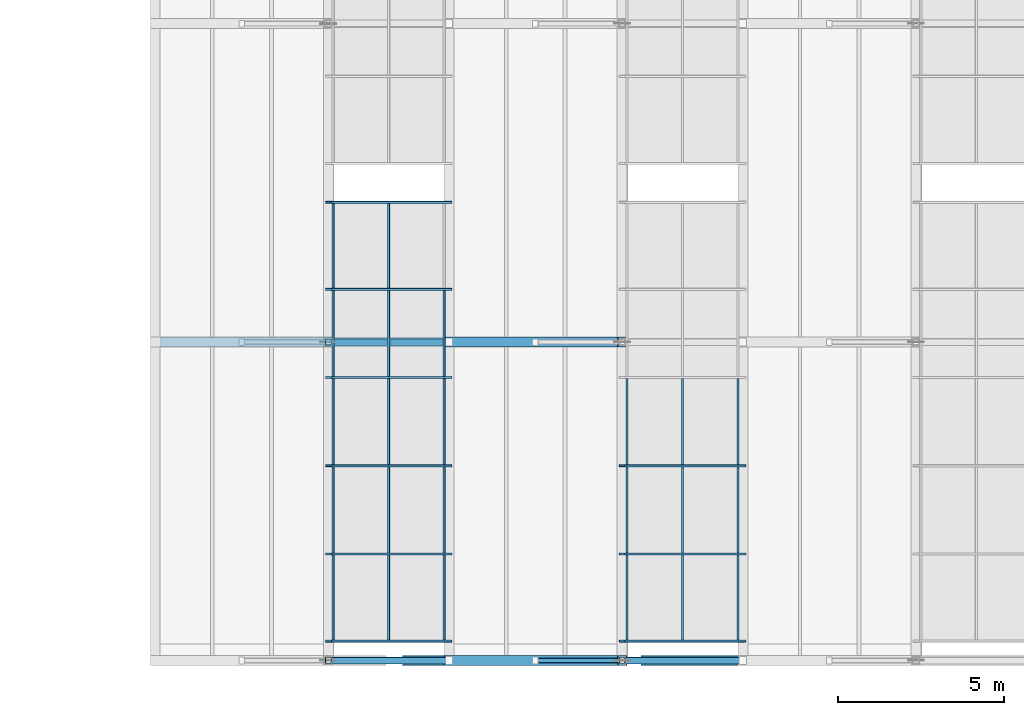
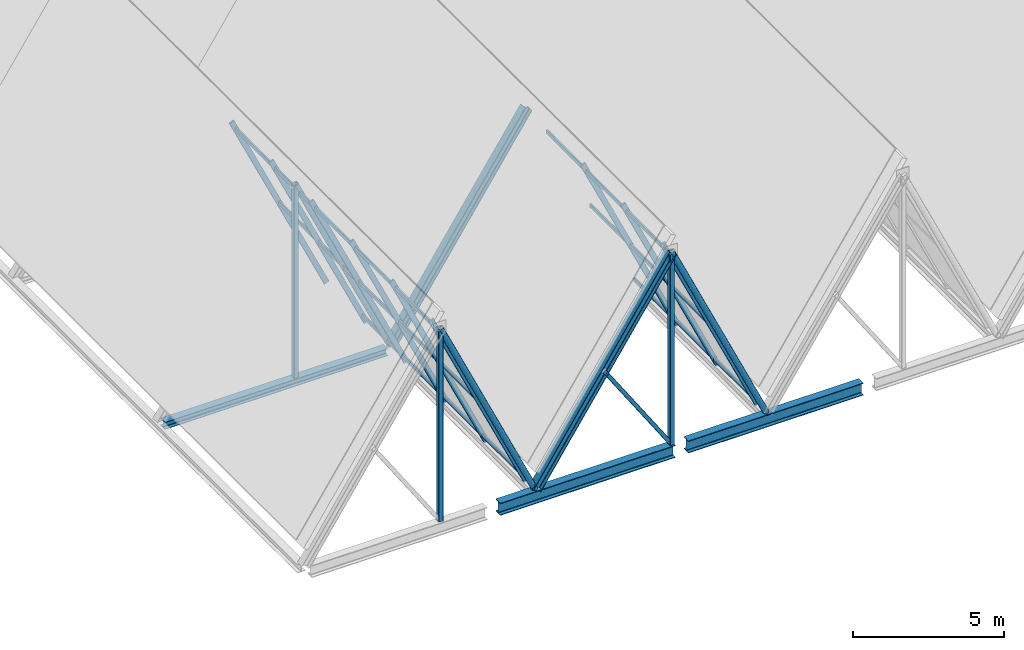
# One storey, part 39 of 99: 42 members, 2 beams, 2 elements without a shape of their own.
"""IFC4 building model written with IfcOpenShell, lengths in metres."""

from ifc_helpers import new_model, si_unit, direction, frame, origin, origin_2d, place, context, subcontext, project, spatial, hollow_rectangle, hollow_circle, i_section, extrude, material, material_profile, profile_set, type_object, element, aggregate, save


model = new_model("IFC4")

# Units and contexts
model_context = context("Model", 3, precision=1e-05, world=origin(), true_north=direction((0.0, 1.0)))
body_context = subcontext(model_context, "Body", "Model", "MODEL_VIEW")
ifc_project = project(units=[si_unit("LENGTHUNIT", "METRE"), si_unit("AREAUNIT", "SQUARE_METRE"), si_unit("VOLUMEUNIT", "CUBIC_METRE"), si_unit("PLANEANGLEUNIT", "RADIAN"), si_unit("MASSUNIT", "GRAM", prefix="KILO")], contexts=[model_context])

# Site, building, storey
site_placement = place(None, origin())
site = spatial("IfcSite", under=ifc_project, at=site_placement, CompositionType="ELEMENT")
building_placement = place(site_placement, origin())
building = spatial("IfcBuilding", under=site, at=building_placement, Name="Bramveld Media Centre", CompositionType="ELEMENT")
storey_placement = place(building_placement, frame((0.0, 0.0, 13.800048828125)))
storey = spatial("IfcBuildingStorey", under=building, at=storey_placement, Name="L03", CompositionType="ELEMENT", Elevation=13.800048828125)

# Curtain wall, members
ifc_material_1 = material(Name="Thermally broken anodized bronze aluminium unitized curtain wall with solar-control triple glazing", Category="aluminium")
curtain_wall_type = type_object("IfcCurtainWallType", Name="CW-SAW-13300x8606", PredefinedType="NOTDEFINED", material=ifc_material_1)
curtain_wall_1_placement = place(storey_placement, origin())
curtain_wall_1 = element("IfcCurtainWall", 1, at=curtain_wall_1_placement, inside=storey, type_object=curtain_wall_type, Name="V1 sawtooth north-light clerestory B1-S1", PredefinedType="NOTDEFINED")
ifc_material_2 = material(Name="Thermally broken anodized bronze aluminium EN AW-6063 T6 curtain-wall framing", Category="aluminium")
ifc_material_profile_1 = material_profile(ifc_material_2, hollow_rectangle(XDim=0.070068359375, YDim=0.199951171875, WallThickness=0.00439453125, InnerFilletRadius=0.00439453125, OuterFilletRadius=0.009033203125, at=origin_2d()), Name="AL-MULL 70x200")
ifc_profile_set_1 = profile_set([ifc_material_profile_1], Name="Thermally broken anodized bronze aluminium EN AW-6063 T6 curtain-wall framing")
member_type_1 = type_object("IfcMemberType", Name="CW-MULL-SLP", PredefinedType="MULLION", material=ifc_profile_set_1)
member_1_placement = place(storey_placement, frame((132.857177734375, 0.5849609375, -0.02001953125), z_axis=(-0.423956992265, 0.0, 0.90568232218), x_axis=(0.0, -1.0, 0.0)))
member_1 = element("IfcMember", 2, at=member_1_placement, type_object=member_type_1, Name="CW-SA-13386 sloped mullion 1", PredefinedType="MULLION", context=body_context, shape_type="SweptSolid", body=[
    extrude(hollow_rectangle(XDim=0.070068359375, YDim=0.199951171875, WallThickness=0.00439453125, InnerFilletRadius=0.00439453125, OuterFilletRadius=0.009033203125, at=origin_2d()), origin(), (0.0, 0.0, 1.0), 8.5791015625),
])
member_2_placement = place(storey_placement, frame((132.857177734375, 3.2099609375, -0.02001953125), z_axis=(-0.423956992265, 0.0, 0.90568232218), x_axis=(0.0, -1.0, 0.0)))
member_2 = element("IfcMember", 3, at=member_2_placement, type_object=member_type_1, Name="CW-SA-13386 sloped mullion 2", PredefinedType="MULLION", context=body_context, shape_type="SweptSolid", body=[
    extrude(hollow_rectangle(XDim=0.070068359375, YDim=0.199951171875, WallThickness=0.00439453125, InnerFilletRadius=0.00439453125, OuterFilletRadius=0.009033203125, at=origin_2d()), origin(), (0.0, 0.0, 1.0), 8.5791015625),
])
member_3_placement = place(storey_placement, frame((132.857177734375, 5.8701171875, -0.02001953125), z_axis=(-0.423956992265, 0.0, 0.90568232218), x_axis=(0.0, -1.0, 0.0)))
member_3 = element("IfcMember", 4, at=member_3_placement, type_object=member_type_1, Name="CW-SA-13386 sloped mullion 3", PredefinedType="MULLION", context=body_context, shape_type="SweptSolid", body=[
    extrude(hollow_rectangle(XDim=0.070068359375, YDim=0.199951171875, WallThickness=0.00439453125, InnerFilletRadius=0.00439453125, OuterFilletRadius=0.009033203125, at=origin_2d()), origin(), (0.0, 0.0, 1.0), 8.5791015625),
])
member_4_placement = place(storey_placement, frame((132.857177734375, 8.530029296875, -0.02001953125), z_axis=(-0.423956992265, 0.0, 0.90568232218), x_axis=(0.0, -1.0, 0.0)))
member_4 = element("IfcMember", 5, at=member_4_placement, type_object=member_type_1, Name="CW-SA-13386 sloped mullion 4", PredefinedType="MULLION", context=body_context, shape_type="SweptSolid", body=[
    extrude(hollow_rectangle(XDim=0.070068359375, YDim=0.199951171875, WallThickness=0.00439453125, InnerFilletRadius=0.00439453125, OuterFilletRadius=0.009033203125, at=origin_2d()), origin(), (0.0, 0.0, 1.0), 8.5791015625),
])
member_5_placement = place(storey_placement, frame((132.857177734375, 11.18994140625, -0.02001953125), z_axis=(-0.423956992265, 0.0, 0.90568232218), x_axis=(0.0, -1.0, 0.0)))
member_5 = element("IfcMember", 6, at=member_5_placement, type_object=member_type_1, Name="CW-SA-13386 sloped mullion 5", PredefinedType="MULLION", context=body_context, shape_type="SweptSolid", body=[
    extrude(hollow_rectangle(XDim=0.070068359375, YDim=0.199951171875, WallThickness=0.00439453125, InnerFilletRadius=0.00439453125, OuterFilletRadius=0.009033203125, at=origin_2d()), origin(), (0.0, 0.0, 1.0), 8.5791015625),
])
member_6_placement = place(storey_placement, frame((132.857177734375, 13.81494140625, -0.02001953125), z_axis=(-0.423956992265, 0.0, 0.90568232218), x_axis=(0.0, -1.0, 0.0)))
member_6 = element("IfcMember", 7, at=member_6_placement, type_object=member_type_1, Name="CW-SA-13386 sloped mullion 6", PredefinedType="MULLION", context=body_context, shape_type="SweptSolid", body=[
    extrude(hollow_rectangle(XDim=0.070068359375, YDim=0.199951171875, WallThickness=0.00439453125, InnerFilletRadius=0.00439453125, OuterFilletRadius=0.009033203125, at=origin_2d()), origin(), (0.0, 0.0, 1.0), 8.5791015625),
])

curtain_wall_2_placement = place(storey_placement, origin())
curtain_wall_2 = element("IfcCurtainWall", 8, at=curtain_wall_2_placement, inside=storey, type_object=curtain_wall_type, Name="V1 sawtooth north-light clerestory B2-S1", PredefinedType="NOTDEFINED")
member_7_placement = place(storey_placement, frame((141.71435546875, 0.5849609375, -0.02001953125), z_axis=(-0.423980334249, 0.0, 0.905671395248), x_axis=(0.0, -1.0, 0.0)))
member_7 = element("IfcMember", 9, at=member_7_placement, type_object=member_type_1, Name="CW-SA-13386 sloped mullion 1", PredefinedType="MULLION", context=body_context, shape_type="SweptSolid", body=[
    extrude(hollow_rectangle(XDim=0.070068359375, YDim=0.199951171875, WallThickness=0.00439453125, InnerFilletRadius=0.00439453125, OuterFilletRadius=0.009033203125, at=origin_2d()), origin(), (0.0, 0.0, 1.0), 8.579345703125),
])
member_8_placement = place(storey_placement, frame((141.71435546875, 3.2099609375, -0.02001953125), z_axis=(-0.423980334249, 0.0, 0.905671395248), x_axis=(0.0, -1.0, 0.0)))
member_8 = element("IfcMember", 10, at=member_8_placement, type_object=member_type_1, Name="CW-SA-13386 sloped mullion 2", PredefinedType="MULLION", context=body_context, shape_type="SweptSolid", body=[
    extrude(hollow_rectangle(XDim=0.070068359375, YDim=0.199951171875, WallThickness=0.00439453125, InnerFilletRadius=0.00439453125, OuterFilletRadius=0.009033203125, at=origin_2d()), origin(), (0.0, 0.0, 1.0), 8.579345703125),
])
member_9_placement = place(storey_placement, frame((141.71435546875, 5.8701171875, -0.02001953125), z_axis=(-0.423980334249, 0.0, 0.905671395248), x_axis=(0.0, -1.0, 0.0)))
member_9 = element("IfcMember", 11, at=member_9_placement, type_object=member_type_1, Name="CW-SA-13386 sloped mullion 3", PredefinedType="MULLION", context=body_context, shape_type="SweptSolid", body=[
    extrude(hollow_rectangle(XDim=0.070068359375, YDim=0.199951171875, WallThickness=0.00439453125, InnerFilletRadius=0.00439453125, OuterFilletRadius=0.009033203125, at=origin_2d()), origin(), (0.0, 0.0, 1.0), 8.579345703125),
])

# Member
ifc_material_3 = material(Name="Thermally broken anodized bronze aluminium EN AW-6063 T6 curtain-wall framing", Category="aluminium")
ifc_material_profile_2 = material_profile(ifc_material_3, hollow_rectangle(XDim=0.070068359375, YDim=0.14990234375, WallThickness=0.00390625, InnerFilletRadius=0.00390625, OuterFilletRadius=0.008056640625, at=origin_2d()), Name="AL-TRAN 70x150")
ifc_profile_set_2 = profile_set([ifc_material_profile_2], Name="Thermally broken anodized bronze aluminium EN AW-6063 T6 curtain-wall framing")
member_type_2 = type_object("IfcMemberType", Name="CW-TRAN-SLP", PredefinedType="USERDEFINED", material=ifc_profile_set_2)
member_10_placement = place(storey_placement, frame((132.711669921875, 0.6201171875, 0.290771484375), z_axis=(0.0, 1.0, 0.0), x_axis=(-1.0, 0.0, 0.0)))
member_10 = element("IfcMember", 12, at=member_10_placement, type_object=member_type_2, Name="CW-SA-13386 transom 1.1", ObjectType="TRANSOM", PredefinedType="USERDEFINED", context=body_context, shape_type="SweptSolid", body=[
    extrude(hollow_rectangle(XDim=0.070068359375, YDim=0.14990234375, WallThickness=0.00390625, InnerFilletRadius=0.00390625, OuterFilletRadius=0.008056640625, at=origin_2d()), origin(), (0.0, 0.0, 1.0), 2.554931640625),
])

member_11_placement = place(storey_placement, frame((131.03857421875, 0.6201171875, 3.864990234375), z_axis=(0.0, 1.0, 0.0), x_axis=(-1.0, 0.0, 0.0)))
member_11 = element("IfcMember", 13, at=member_11_placement, type_object=member_type_2, Name="CW-SA-13386 transom 1.2", ObjectType="TRANSOM", PredefinedType="USERDEFINED", context=body_context, shape_type="SweptSolid", body=[
    extrude(hollow_rectangle(XDim=0.070068359375, YDim=0.14990234375, WallThickness=0.00390625, InnerFilletRadius=0.00390625, OuterFilletRadius=0.008056640625, at=origin_2d()), origin(), (0.0, 0.0, 1.0), 2.554931640625),
])

member_12_placement = place(storey_placement, frame((129.365478515625, 0.6201171875, 7.439208984375), z_axis=(0.0, 1.0, 0.0), x_axis=(-1.0, 0.0, 0.0)))
member_12 = element("IfcMember", 14, at=member_12_placement, type_object=member_type_2, Name="CW-SA-13386 transom 1.3", ObjectType="TRANSOM", PredefinedType="USERDEFINED", context=body_context, shape_type="SweptSolid", body=[
    extrude(hollow_rectangle(XDim=0.070068359375, YDim=0.14990234375, WallThickness=0.00390625, InnerFilletRadius=0.00390625, OuterFilletRadius=0.008056640625, at=origin_2d()), origin(), (0.0, 0.0, 1.0), 2.554931640625),
])

member_13_placement = place(storey_placement, frame((132.711669921875, 3.2451171875, 0.290771484375), z_axis=(0.0, 1.0, 0.0), x_axis=(-1.0, 0.0, 0.0)))
member_13 = element("IfcMember", 15, at=member_13_placement, type_object=member_type_2, Name="CW-SA-13386 transom 2.1", ObjectType="TRANSOM", PredefinedType="USERDEFINED", context=body_context, shape_type="SweptSolid", body=[
    extrude(hollow_rectangle(XDim=0.070068359375, YDim=0.14990234375, WallThickness=0.00390625, InnerFilletRadius=0.00390625, OuterFilletRadius=0.008056640625, at=origin_2d()), origin(), (0.0, 0.0, 1.0), 2.58984375),
])

member_14_placement = place(storey_placement, frame((131.03857421875, 3.2451171875, 3.864990234375), z_axis=(0.0, 1.0, 0.0), x_axis=(-1.0, 0.0, 0.0)))
member_14 = element("IfcMember", 16, at=member_14_placement, type_object=member_type_2, Name="CW-SA-13386 transom 2.2", ObjectType="TRANSOM", PredefinedType="USERDEFINED", context=body_context, shape_type="SweptSolid", body=[
    extrude(hollow_rectangle(XDim=0.070068359375, YDim=0.14990234375, WallThickness=0.00390625, InnerFilletRadius=0.00390625, OuterFilletRadius=0.008056640625, at=origin_2d()), origin(), (0.0, 0.0, 1.0), 2.58984375),
])

member_15_placement = place(storey_placement, frame((129.365478515625, 3.2451171875, 7.439208984375), z_axis=(0.0, 1.0, 0.0), x_axis=(-1.0, 0.0, 0.0)))
member_15 = element("IfcMember", 17, at=member_15_placement, type_object=member_type_2, Name="CW-SA-13386 transom 2.3", ObjectType="TRANSOM", PredefinedType="USERDEFINED", context=body_context, shape_type="SweptSolid", body=[
    extrude(hollow_rectangle(XDim=0.070068359375, YDim=0.14990234375, WallThickness=0.00390625, InnerFilletRadius=0.00390625, OuterFilletRadius=0.008056640625, at=origin_2d()), origin(), (0.0, 0.0, 1.0), 2.58984375),
])

member_16_placement = place(storey_placement, frame((132.711669921875, 5.905029296875, 0.290771484375), z_axis=(0.0, 1.0, 0.0), x_axis=(-1.0, 0.0, 0.0)))
member_16 = element("IfcMember", 18, at=member_16_placement, type_object=member_type_2, Name="CW-SA-13386 transom 3.1", ObjectType="TRANSOM", PredefinedType="USERDEFINED", context=body_context, shape_type="SweptSolid", body=[
    extrude(hollow_rectangle(XDim=0.070068359375, YDim=0.14990234375, WallThickness=0.00390625, InnerFilletRadius=0.00390625, OuterFilletRadius=0.008056640625, at=origin_2d()), origin(), (0.0, 0.0, 1.0), 2.590087890625),
])

member_17_placement = place(storey_placement, frame((131.03857421875, 5.905029296875, 3.864990234375), z_axis=(0.0, 1.0, 0.0), x_axis=(-1.0, 0.0, 0.0)))
member_17 = element("IfcMember", 19, at=member_17_placement, type_object=member_type_2, Name="CW-SA-13386 transom 3.2", ObjectType="TRANSOM", PredefinedType="USERDEFINED", context=body_context, shape_type="SweptSolid", body=[
    extrude(hollow_rectangle(XDim=0.070068359375, YDim=0.14990234375, WallThickness=0.00390625, InnerFilletRadius=0.00390625, OuterFilletRadius=0.008056640625, at=origin_2d()), origin(), (0.0, 0.0, 1.0), 2.590087890625),
])

member_18_placement = place(storey_placement, frame((129.365478515625, 5.905029296875, 7.439208984375), z_axis=(0.0, 1.0, 0.0), x_axis=(-1.0, 0.0, 0.0)))
member_18 = element("IfcMember", 20, at=member_18_placement, type_object=member_type_2, Name="CW-SA-13386 transom 3.3", ObjectType="TRANSOM", PredefinedType="USERDEFINED", context=body_context, shape_type="SweptSolid", body=[
    extrude(hollow_rectangle(XDim=0.070068359375, YDim=0.14990234375, WallThickness=0.00390625, InnerFilletRadius=0.00390625, OuterFilletRadius=0.008056640625, at=origin_2d()), origin(), (0.0, 0.0, 1.0), 2.590087890625),
])

member_19_placement = place(storey_placement, frame((132.711669921875, 8.56494140625, 0.290771484375), z_axis=(0.0, 1.0, 0.0), x_axis=(-1.0, 0.0, 0.0)))
member_19 = element("IfcMember", 21, at=member_19_placement, type_object=member_type_2, Name="CW-SA-13386 transom 4.1", ObjectType="TRANSOM", PredefinedType="USERDEFINED", context=body_context, shape_type="SweptSolid", body=[
    extrude(hollow_rectangle(XDim=0.070068359375, YDim=0.14990234375, WallThickness=0.00390625, InnerFilletRadius=0.00390625, OuterFilletRadius=0.008056640625, at=origin_2d()), origin(), (0.0, 0.0, 1.0), 2.590087890625),
])

member_20_placement = place(storey_placement, frame((131.03857421875, 8.56494140625, 3.864990234375), z_axis=(0.0, 1.0, 0.0), x_axis=(-1.0, 0.0, 0.0)))
member_20 = element("IfcMember", 22, at=member_20_placement, type_object=member_type_2, Name="CW-SA-13386 transom 4.2", ObjectType="TRANSOM", PredefinedType="USERDEFINED", context=body_context, shape_type="SweptSolid", body=[
    extrude(hollow_rectangle(XDim=0.070068359375, YDim=0.14990234375, WallThickness=0.00390625, InnerFilletRadius=0.00390625, OuterFilletRadius=0.008056640625, at=origin_2d()), origin(), (0.0, 0.0, 1.0), 2.590087890625),
])

member_21_placement = place(storey_placement, frame((129.365478515625, 8.56494140625, 7.439208984375), z_axis=(0.0, 1.0, 0.0), x_axis=(-1.0, 0.0, 0.0)))
member_21 = element("IfcMember", 23, at=member_21_placement, type_object=member_type_2, Name="CW-SA-13386 transom 4.3", ObjectType="TRANSOM", PredefinedType="USERDEFINED", context=body_context, shape_type="SweptSolid", body=[
    extrude(hollow_rectangle(XDim=0.070068359375, YDim=0.14990234375, WallThickness=0.00390625, InnerFilletRadius=0.00390625, OuterFilletRadius=0.008056640625, at=origin_2d()), origin(), (0.0, 0.0, 1.0), 2.590087890625),
])

member_22_placement = place(storey_placement, frame((131.03857421875, 11.22509765625, 3.864990234375), z_axis=(0.0, 1.0, 0.0), x_axis=(-1.0, 0.0, 0.0)))
member_22 = element("IfcMember", 24, at=member_22_placement, type_object=member_type_2, Name="CW-SA-13386 transom 5.2", ObjectType="TRANSOM", PredefinedType="USERDEFINED", context=body_context, shape_type="SweptSolid", body=[
    extrude(hollow_rectangle(XDim=0.070068359375, YDim=0.14990234375, WallThickness=0.00390625, InnerFilletRadius=0.00390625, OuterFilletRadius=0.008056640625, at=origin_2d()), origin(), (0.0, 0.0, 1.0), 2.554931640625),
])

member_23_placement = place(storey_placement, frame((129.365478515625, 11.22509765625, 7.439208984375), z_axis=(0.0, 1.0, 0.0), x_axis=(-1.0, 0.0, 0.0)))
member_23 = element("IfcMember", 25, at=member_23_placement, type_object=member_type_2, Name="CW-SA-13386 transom 5.3", ObjectType="TRANSOM", PredefinedType="USERDEFINED", context=body_context, shape_type="SweptSolid", body=[
    extrude(hollow_rectangle(XDim=0.070068359375, YDim=0.14990234375, WallThickness=0.00390625, InnerFilletRadius=0.00390625, OuterFilletRadius=0.008056640625, at=origin_2d()), origin(), (0.0, 0.0, 1.0), 2.554931640625),
])

aggregate(curtain_wall_1, [member_1, member_2, member_3, member_4, member_5, member_6, member_10, member_11, member_12, member_13, member_14, member_15, member_16, member_17, member_18, member_19, member_20, member_21, member_22, member_23])

member_24_placement = place(storey_placement, frame((141.56884765625, 0.6201171875, 0.290771484375), z_axis=(0.0, 1.0, 0.0), x_axis=(-1.0, 0.0, 0.0)))
member_24 = element("IfcMember", 26, at=member_24_placement, type_object=member_type_2, Name="CW-SA-13386 transom 1.1", ObjectType="TRANSOM", PredefinedType="USERDEFINED", context=body_context, shape_type="SweptSolid", body=[
    extrude(hollow_rectangle(XDim=0.070068359375, YDim=0.14990234375, WallThickness=0.00390625, InnerFilletRadius=0.00390625, OuterFilletRadius=0.008056640625, at=origin_2d()), origin(), (0.0, 0.0, 1.0), 2.554931640625),
])

member_25_placement = place(storey_placement, frame((139.8955078125, 0.6201171875, 3.864990234375), z_axis=(0.0, 1.0, 0.0), x_axis=(-1.0, 0.0, 0.0)))
member_25 = element("IfcMember", 27, at=member_25_placement, type_object=member_type_2, Name="CW-SA-13386 transom 1.2", ObjectType="TRANSOM", PredefinedType="USERDEFINED", context=body_context, shape_type="SweptSolid", body=[
    extrude(hollow_rectangle(XDim=0.070068359375, YDim=0.14990234375, WallThickness=0.00390625, InnerFilletRadius=0.00390625, OuterFilletRadius=0.008056640625, at=origin_2d()), origin(), (0.0, 0.0, 1.0), 2.554931640625),
])

member_26_placement = place(storey_placement, frame((138.222412109375, 0.6201171875, 7.439208984375), z_axis=(0.0, 1.0, 0.0), x_axis=(-1.0, 0.0, 0.0)))
member_26 = element("IfcMember", 28, at=member_26_placement, type_object=member_type_2, Name="CW-SA-13386 transom 1.3", ObjectType="TRANSOM", PredefinedType="USERDEFINED", context=body_context, shape_type="SweptSolid", body=[
    extrude(hollow_rectangle(XDim=0.070068359375, YDim=0.14990234375, WallThickness=0.00390625, InnerFilletRadius=0.00390625, OuterFilletRadius=0.008056640625, at=origin_2d()), origin(), (0.0, 0.0, 1.0), 2.554931640625),
])

member_27_placement = place(storey_placement, frame((141.56884765625, 3.2451171875, 0.290771484375), z_axis=(0.0, 1.0, 0.0), x_axis=(-1.0, 0.0, 0.0)))
member_27 = element("IfcMember", 29, at=member_27_placement, type_object=member_type_2, Name="CW-SA-13386 transom 2.1", ObjectType="TRANSOM", PredefinedType="USERDEFINED", context=body_context, shape_type="SweptSolid", body=[
    extrude(hollow_rectangle(XDim=0.070068359375, YDim=0.14990234375, WallThickness=0.00390625, InnerFilletRadius=0.00390625, OuterFilletRadius=0.008056640625, at=origin_2d()), origin(), (0.0, 0.0, 1.0), 2.58984375),
])

member_28_placement = place(storey_placement, frame((139.8955078125, 3.2451171875, 3.864990234375), z_axis=(0.0, 1.0, 0.0), x_axis=(-1.0, 0.0, 0.0)))
member_28 = element("IfcMember", 30, at=member_28_placement, type_object=member_type_2, Name="CW-SA-13386 transom 2.2", ObjectType="TRANSOM", PredefinedType="USERDEFINED", context=body_context, shape_type="SweptSolid", body=[
    extrude(hollow_rectangle(XDim=0.070068359375, YDim=0.14990234375, WallThickness=0.00390625, InnerFilletRadius=0.00390625, OuterFilletRadius=0.008056640625, at=origin_2d()), origin(), (0.0, 0.0, 1.0), 2.58984375),
])

member_29_placement = place(storey_placement, frame((138.222412109375, 3.2451171875, 7.439208984375), z_axis=(0.0, 1.0, 0.0), x_axis=(-1.0, 0.0, 0.0)))
member_29 = element("IfcMember", 31, at=member_29_placement, type_object=member_type_2, Name="CW-SA-13386 transom 2.3", ObjectType="TRANSOM", PredefinedType="USERDEFINED", context=body_context, shape_type="SweptSolid", body=[
    extrude(hollow_rectangle(XDim=0.070068359375, YDim=0.14990234375, WallThickness=0.00390625, InnerFilletRadius=0.00390625, OuterFilletRadius=0.008056640625, at=origin_2d()), origin(), (0.0, 0.0, 1.0), 2.58984375),
])

member_30_placement = place(storey_placement, frame((141.56884765625, 5.905029296875, 0.290771484375), z_axis=(0.0, 1.0, 0.0), x_axis=(-1.0, 0.0, 0.0)))
member_30 = element("IfcMember", 32, at=member_30_placement, type_object=member_type_2, Name="CW-SA-13386 transom 3.1", ObjectType="TRANSOM", PredefinedType="USERDEFINED", context=body_context, shape_type="SweptSolid", body=[
    extrude(hollow_rectangle(XDim=0.070068359375, YDim=0.14990234375, WallThickness=0.00390625, InnerFilletRadius=0.00390625, OuterFilletRadius=0.008056640625, at=origin_2d()), origin(), (0.0, 0.0, 1.0), 2.590087890625),
])

member_31_placement = place(storey_placement, frame((139.8955078125, 5.905029296875, 3.864990234375), z_axis=(0.0, 1.0, 0.0), x_axis=(-1.0, 0.0, 0.0)))
member_31 = element("IfcMember", 33, at=member_31_placement, type_object=member_type_2, Name="CW-SA-13386 transom 3.2", ObjectType="TRANSOM", PredefinedType="USERDEFINED", context=body_context, shape_type="SweptSolid", body=[
    extrude(hollow_rectangle(XDim=0.070068359375, YDim=0.14990234375, WallThickness=0.00390625, InnerFilletRadius=0.00390625, OuterFilletRadius=0.008056640625, at=origin_2d()), origin(), (0.0, 0.0, 1.0), 2.590087890625),
])

member_32_placement = place(storey_placement, frame((138.222412109375, 5.905029296875, 7.439208984375), z_axis=(0.0, 1.0, 0.0), x_axis=(-1.0, 0.0, 0.0)))
member_32 = element("IfcMember", 34, at=member_32_placement, type_object=member_type_2, Name="CW-SA-13386 transom 3.3", ObjectType="TRANSOM", PredefinedType="USERDEFINED", context=body_context, shape_type="SweptSolid", body=[
    extrude(hollow_rectangle(XDim=0.070068359375, YDim=0.14990234375, WallThickness=0.00390625, InnerFilletRadius=0.00390625, OuterFilletRadius=0.008056640625, at=origin_2d()), origin(), (0.0, 0.0, 1.0), 2.590087890625),
])

aggregate(curtain_wall_2, [member_7, member_8, member_9, member_24, member_25, member_26, member_27, member_28, member_29, member_30, member_31, member_32])

# Members
ifc_material_4 = material(Name="Steel S355J2H", Category="steel")
ifc_material_profile_3 = material_profile(ifc_material_4, hollow_circle(Radius=0.109619140625, WallThickness=0.012451171875, at=origin_2d()), Name="CHS 219.1x12.5")
ifc_profile_set_3 = profile_set([ifc_material_profile_3], Name="Steel S355J2H")
member_type_3 = type_object("IfcMemberType", Name="MEM-BRACE-CHS219", PredefinedType="BRACE", material=ifc_profile_set_3)
for number, where, z_axis, x_axis, name in (
    (35, (132.857177734375, 0.0, 0.0), (-0.422616785161, 0.0, 0.906308475575), (0.0, -1.0, 0.0), "TRUSS-V1-B01-F1 north-light strut"),
    (36, (132.857177734375, 9.60009765625, 0.0), (-0.422616785161, 0.0, 0.906308475575), (0.0, -1.0, 0.0), "TRUSS-V1-B01-F2 north-light strut"),
    (37, (141.71435546875, 0.0, 0.0), (-0.422640085544, 0.0, 0.90629761011), (0.0, -1.0, 0.0), "TRUSS-V1-B02-F1 north-light strut"),
):
    element("IfcMember", number, at=place(storey_placement, frame(where, z_axis=z_axis, x_axis=x_axis)), inside=storey, type_object=member_type_3, Name=name, PredefinedType="BRACE", context=body_context, shape_type="SweptSolid", body=[
        extrude(hollow_circle(Radius=0.109619140625, WallThickness=0.012451171875, at=origin_2d()), origin(), (0.0, 0.0, 1.0), 8.6064453125),
    ])
ifc_material_5 = material(Name="Steel S355J2H", Category="steel")
ifc_material_profile_4 = material_profile(ifc_material_5, hollow_rectangle(XDim=0.14990234375, YDim=0.14990234375, WallThickness=0.010009765625, InnerFilletRadius=0.010009765625, OuterFilletRadius=0.02001953125, at=origin_2d()), Name="SHS 150x150x10")
ifc_profile_set_4 = profile_set([ifc_material_profile_4], Name="Steel S355J2H")
member_type_4 = type_object("IfcMemberType", Name="MEM-BRACE-SHS150", PredefinedType="BRACE", material=ifc_profile_set_4)
member_33_placement = place(storey_placement, frame((138.076904296875, 0.0, 0.0), z_axis=(-0.55616408489, 0.0, 0.83107250627), x_axis=(0.0, -1.0, 0.0)))
element("IfcMember", 38, at=member_33_placement, inside=storey, type_object=member_type_4, Name="TRUSS-V1-B02-F1 web diagonal", PredefinedType="BRACE", context=body_context, shape_type="SweptSolid", body=[
    extrude(hollow_rectangle(XDim=0.14990234375, YDim=0.14990234375, WallThickness=0.010009765625, InnerFilletRadius=0.010009765625, OuterFilletRadius=0.02001953125, at=origin_2d()), origin(), (0.0, 0.0, 1.0), 4.692626953125),
])
ifc_material_6 = material(Name="Steel S355J2", Category="steel")
ifc_material_profile_5 = material_profile(ifc_material_6, i_section(OverallWidth=0.300048828125, OverallDepth=0.2900390625, WebThickness=0.008544921875, FlangeThickness=0.013916015625, FilletRadius=0.027099609375, at=origin_2d()), Name="HEA 300")
ifc_profile_set_5 = profile_set([ifc_material_profile_5], Name="Steel S355J2")
member_type_5 = type_object("IfcMemberType", Name="MEM-CHORD-HEA300", PredefinedType="CHORD", material=ifc_profile_set_5)
member_34_placement = place(storey_placement, frame((124.159912109375, 9.60009765625, -0.14501953125), z_axis=(1.0, 0.0, 0.0), x_axis=(0.0, 1.0, 0.0)))
element("IfcMember", 39, at=member_34_placement, inside=storey, type_object=member_type_5, Name="TRUSS-V1-B01-F2 bottom tie chord", PredefinedType="CHORD", context=body_context, shape_type="SweptSolid", body=[
    extrude(i_section(OverallWidth=0.300048828125, OverallDepth=0.2900390625, WebThickness=0.008544921875, FlangeThickness=0.013916015625, FilletRadius=0.027099609375, at=origin_2d()), origin(), (0.0, 0.0, 1.0), 8.537109375),
])
ifc_material_7 = material(Name="Steel S355J2", Category="steel")
ifc_material_profile_6 = material_profile(ifc_material_7, i_section(OverallWidth=0.300048828125, OverallDepth=0.340087890625, WebThickness=0.011962890625, FlangeThickness=0.021484375, FilletRadius=0.027099609375, at=origin_2d()), Name="HEB 340")
ifc_profile_set_6 = profile_set([ifc_material_profile_6], Name="Steel S355J2")
member_type_6 = type_object("IfcMemberType", Name="MEM-CHORD-HEB340", PredefinedType="CHORD", material=ifc_profile_set_6)
for number, where, z_axis, x_axis, name in (
    (40, (132.857177734375, 0.0, 0.0), (0.55615206142, 0.0, 0.8310805524), (0.0, 1.0, 0.0), "TRUSS-V1-B02-F1 top rafter chord"),
    (41, (132.857177734375, 9.60009765625, 0.0), (0.55615206142, 0.0, 0.8310805524), (0.0, 1.0, 0.0), "TRUSS-V1-B02-F2 top rafter chord"),
):
    element("IfcMember", number, at=place(storey_placement, frame(where, z_axis=z_axis, x_axis=x_axis)), inside=storey, type_object=member_type_6, Name=name, PredefinedType="CHORD", context=body_context, shape_type="SweptSolid", body=[
        extrude(i_section(OverallWidth=0.300048828125, OverallDepth=0.340087890625, WebThickness=0.011962890625, FlangeThickness=0.021484375, FilletRadius=0.027099609375, at=origin_2d()), origin(), (0.0, 0.0, 1.0), 9.385498046875),
    ])
ifc_material_8 = material(Name="Steel S355J2H", Category="steel")
ifc_material_profile_7 = material_profile(ifc_material_8, hollow_rectangle(XDim=0.179931640625, YDim=0.179931640625, WallThickness=0.010009765625, InnerFilletRadius=0.010009765625, OuterFilletRadius=0.02001953125, at=origin_2d()), Name="SHS 180x180x10")
ifc_profile_set_7 = profile_set([ifc_material_profile_7], Name="Steel S355J2H")
member_type_7 = type_object("IfcMemberType", Name="MEM-POST-SHS180", PredefinedType="POST", material=ifc_profile_set_7)
for number, where, z_axis, x_axis, name in (
    (42, (129.219970703125, 0.0, 0.0), (0.0, 0.0, 1.0), (1.0, 0.0, 0.0), "TRUSS-V1-B01-F1 kingpost"),
    (43, (129.219970703125, 9.60009765625, 0.0), (0.0, 0.0, 1.0), (1.0, 0.0, 0.0), "TRUSS-V1-B01-F2 kingpost"),
    (44, (138.076904296875, 0.0, 0.0), (0.0, 0.0, 1.0), (1.0, 0.0, 0.0), "TRUSS-V1-B02-F1 kingpost"),
):
    element("IfcMember", number, at=place(storey_placement, frame(where, z_axis=z_axis, x_axis=x_axis)), inside=storey, type_object=member_type_7, Name=name, PredefinedType="POST", context=body_context, shape_type="SweptSolid", body=[
        extrude(hollow_rectangle(XDim=0.179931640625, YDim=0.179931640625, WallThickness=0.010009765625, InnerFilletRadius=0.010009765625, OuterFilletRadius=0.02001953125, at=origin_2d()), origin(), (0.0, 0.0, 1.0), 7.800048828125),
    ])

# Beams
ifc_material_9 = material(Name="Steel S355J2", Category="steel")
ifc_material_profile_8 = material_profile(ifc_material_9, i_section(OverallWidth=0.300048828125, OverallDepth=0.5, WebThickness=0.014404296875, FlangeThickness=0.028076171875, FilletRadius=0.027099609375, at=origin_2d()), Name="HEB 500")
ifc_profile_set_8 = profile_set([ifc_material_profile_8], Name="Steel S355J2")
beam_type = type_object("IfcBeamType", Name="SBM-EXT-HEB-500", PredefinedType="BEAM", material=ifc_profile_set_8)
beam_1_placement = place(storey_placement, frame((131.449951171875, 0.0, -0.25), z_axis=(1.0, 0.0, 0.0), x_axis=(0.0, 1.0, 0.0)))
element("IfcBeam", 45, at=beam_1_placement, inside=storey, type_object=beam_type, Name="V1 sawtooth tie girder", PredefinedType="BEAM", context=body_context, shape_type="SweptSolid", body=[
    extrude(i_section(OverallWidth=0.300048828125, OverallDepth=0.5, WebThickness=0.014404296875, FlangeThickness=0.028076171875, FilletRadius=0.027099609375, at=origin_2d()), origin(), (0.0, 0.0, 1.0), 6.699951171875),
])
beam_2_placement = place(storey_placement, frame((138.64990234375, 0.0, -0.25), z_axis=(1.0, 0.0, 0.0), x_axis=(0.0, 1.0, 0.0)))
element("IfcBeam", 46, at=beam_2_placement, inside=storey, type_object=beam_type, Name="V1 sawtooth tie girder", PredefinedType="BEAM", context=body_context, shape_type="SweptSolid", body=[
    extrude(i_section(OverallWidth=0.300048828125, OverallDepth=0.5, WebThickness=0.014404296875, FlangeThickness=0.028076171875, FilletRadius=0.027099609375, at=origin_2d()), origin(), (0.0, 0.0, 1.0), 6.7001953125),
])

save(model, "model.ifc")
